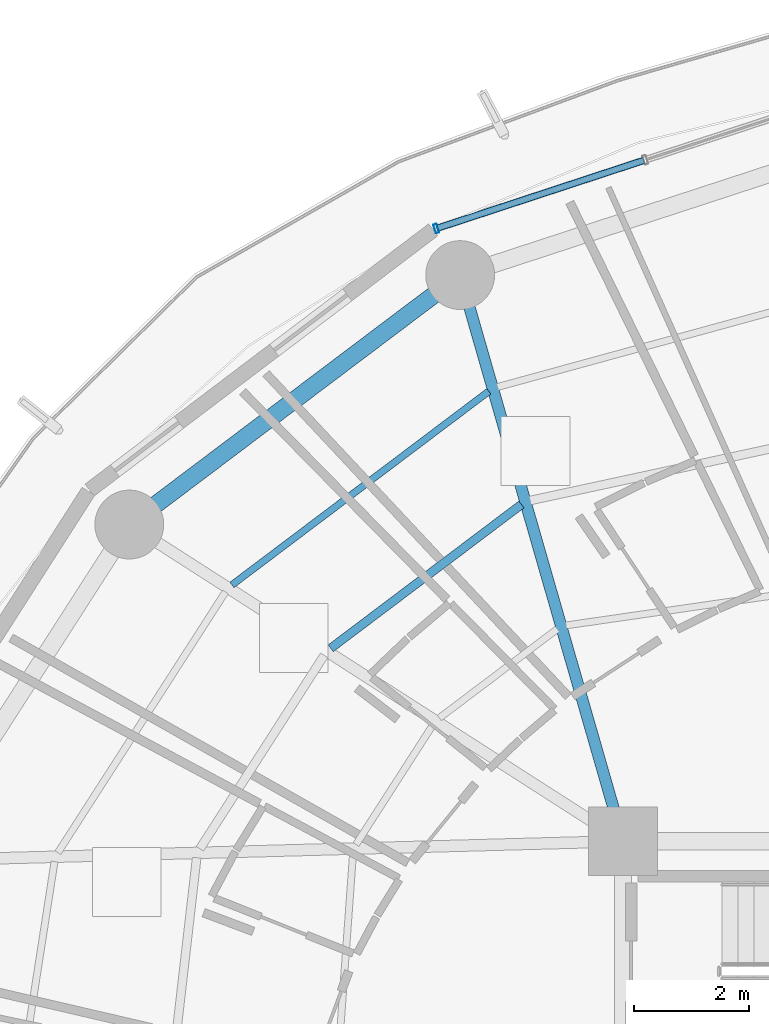
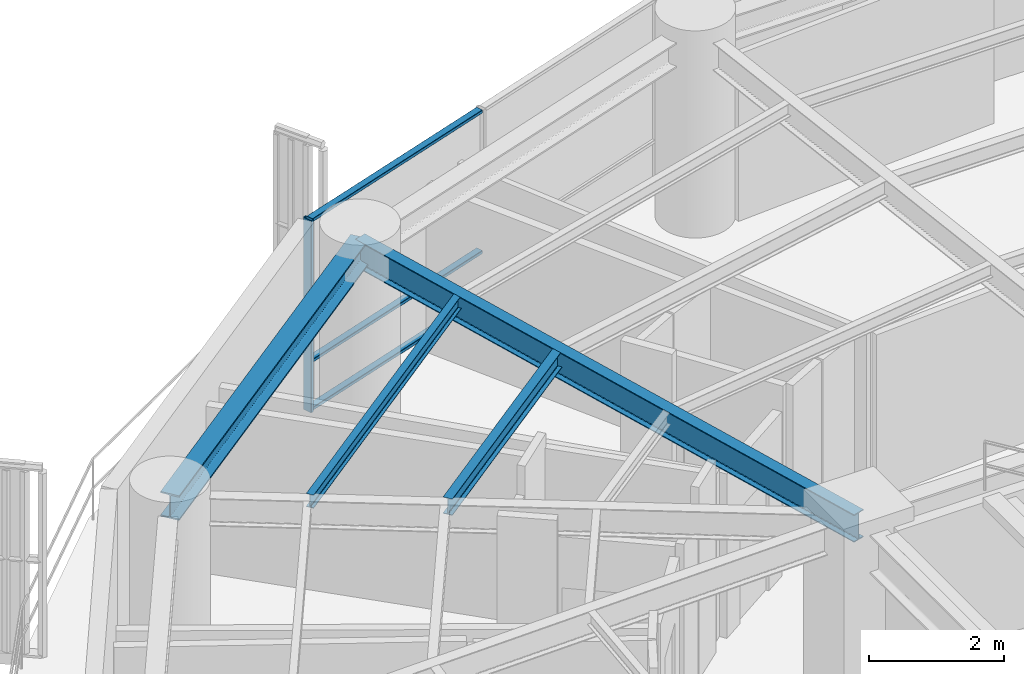
# One storey, part 16 of 29: 4 beams, 4 members, 1 element without a shape of its own.
"""IFC4 building model written with IfcOpenShell, lengths in metres."""

from ifc_helpers import new_model, si_unit, direction, frame, origin, origin_2d, place, context, subcontext, project, spatial, hollow_rectangle, i_section, extrude, material, layer, layer_set, material_profile, profile_set, type_object, element, aggregate, save


model = new_model("IFC4")

# Units and contexts
model_context = context("Model", 3, precision=1e-05, world=origin(), true_north=direction((0.0, 1.0)))
body_context = subcontext(model_context, "Body", "Model", "MODEL_VIEW")
ifc_project = project(units=[si_unit("LENGTHUNIT", "METRE"), si_unit("AREAUNIT", "SQUARE_METRE"), si_unit("VOLUMEUNIT", "CUBIC_METRE"), si_unit("PLANEANGLEUNIT", "RADIAN"), si_unit("MASSUNIT", "GRAM", prefix="KILO")], contexts=[model_context])

# Site, building, storey
site_placement = place(None, origin())
site = spatial("IfcSite", under=ifc_project, at=site_placement, CompositionType="ELEMENT")
building_placement = place(site_placement, origin())
building = spatial("IfcBuilding", under=site, at=building_placement, Name="Kelanora Arch Commons", CompositionType="ELEMENT")
storey_placement = place(building_placement, frame((0.0, 0.0, 135.60009765625)))
storey = spatial("IfcBuildingStorey", under=building, at=storey_placement, Name="L34", CompositionType="ELEMENT", Elevation=135.60009765625)

# Beams
ifc_material_1 = material(Name="Steel S355", Category="steel")
ifc_material_profile_1 = material_profile(ifc_material_1, i_section(OverallWidth=0.14990234375, OverallDepth=0.300048828125, WebThickness=0.007080078125, FlangeThickness=0.0107421875, FilletRadius=0.014892578125, at=origin_2d()), Name="IPE300")
ifc_profile_set_1 = profile_set([ifc_material_profile_1], Name="Steel S355")
beam_type_1 = type_object("IfcBeamType", Name="BM-JST-01", PredefinedType="JOIST", material=ifc_profile_set_1)
beam_1_placement = place(storey_placement, frame((64.22802734375, 70.870849609375, 3.33984375), z_axis=(-0.798463547891, -0.602043156833, 0.0), x_axis=(0.602043156833, -0.798463547891, 0.0)))
element("IfcBeam", 1, at=beam_1_placement, inside=storey, type_object=beam_type_1, Name="Secondary Chord Joist BJB-12 L34", PredefinedType="JOIST", context=body_context, shape_type="SweptSolid", body=[
    extrude(i_section(OverallWidth=0.14990234375, OverallDepth=0.300048828125, WebThickness=0.007080078125, FlangeThickness=0.0107421875, FilletRadius=0.014892578125, at=origin_2d()), origin(), (0.0, 0.0, 1.0), 4.163818359375),
])
ifc_material_profile_2 = material_profile(ifc_material_1, i_section(OverallWidth=0.1201171875, OverallDepth=0.239990234375, WebThickness=0.006103515625, FlangeThickness=0.009765625, FilletRadius=0.014892578125, at=origin_2d()), Name="IPE240")
ifc_profile_set_2 = profile_set([ifc_material_profile_2], Name="Steel S355")
beam_type_2 = type_object("IfcBeamType", Name="BM-JST-02", PredefinedType="JOIST", material=ifc_profile_set_2)
beam_2_placement = place(storey_placement, frame((63.66015625, 72.844970703125, 3.369873046875), z_axis=(-0.798493128577, -0.602003923256, 0.0), x_axis=(0.602003923256, -0.798493128577, 0.0)))
element("IfcBeam", 2, at=beam_2_placement, inside=storey, type_object=beam_type_2, Name="Secondary Chord Joist BJC-12 L34", PredefinedType="JOIST", context=body_context, shape_type="SweptSolid", body=[
    extrude(i_section(OverallWidth=0.1201171875, OverallDepth=0.239990234375, WebThickness=0.006103515625, FlangeThickness=0.009765625, FilletRadius=0.014892578125, at=origin_2d()), origin(), (0.0, 0.0, 1.0), 5.608642578125),
])
ifc_material_profile_3 = material_profile(ifc_material_1, i_section(OverallWidth=0.199951171875, OverallDepth=0.5, WebThickness=0.01025390625, FlangeThickness=0.01611328125, FilletRadius=0.02099609375, at=origin_2d()), Name="IPE500")
ifc_profile_set_3 = profile_set([ifc_material_profile_3], Name="Steel S355")
beam_type_3 = type_object("IfcBeamType", Name="BM-RAD-Z3", PredefinedType="BEAM", material=ifc_profile_set_3)
beam_3_placement = place(storey_placement, frame((66.0, 65.0, 3.239990234375), z_axis=(-0.276525880065, 0.961006471182, 0.0), x_axis=(-0.961006471182, -0.276525880065, 0.0)))
element("IfcBeam", 3, at=beam_3_placement, inside=storey, type_object=beam_type_3, Name="Radial Floor Girder BR-12 L34", PredefinedType="BEAM", context=body_context, shape_type="SweptSolid", body=[
    extrude(i_section(OverallWidth=0.199951171875, OverallDepth=0.5, WebThickness=0.01025390625, FlangeThickness=0.01611328125, FilletRadius=0.02099609375, at=origin_2d()), origin(), (0.0, 0.0, 1.0), 10.2705078125),
])
ifc_material_profile_4 = material_profile(ifc_material_1, i_section(OverallWidth=0.300048828125, OverallDepth=0.449951171875, WebThickness=0.013916015625, FlangeThickness=0.02587890625, FilletRadius=0.027099609375, at=origin_2d()), Name="HEB450")
ifc_profile_set_4 = profile_set([ifc_material_profile_4], Name="Steel S355")
beam_type_4 = type_object("IfcBeamType", Name="BM-SPN-Z3", PredefinedType="SPANDREL", material=ifc_profile_set_4)
beam_4_placement = place(storey_placement, frame((63.159912109375, 74.8701171875, 3.264892578125), z_axis=(-0.798484645564, -0.60201517489, 0.0), x_axis=(0.60201517489, -0.798484645564, 0.0)))
element("IfcBeam", 4, at=beam_4_placement, inside=storey, type_object=beam_type_4, Name="Perimeter Spandrel Beam BS-12 L34", PredefinedType="SPANDREL", context=body_context, shape_type="SweptSolid", body=[
    extrude(i_section(OverallWidth=0.300048828125, OverallDepth=0.449951171875, WebThickness=0.013916015625, FlangeThickness=0.02587890625, FilletRadius=0.027099609375, at=origin_2d()), origin(), (0.0, 0.0, 1.0), 7.223388671875),
])

# Curtain wall, members
ifc_material_2 = material(Name="Terracotta ceramic-fritted low-E glass and aluminium", Category="masonry")
ifc_layer = layer(ifc_material_2, 0.175048828125)
ifc_layer_set = layer_set([ifc_layer], Name="Terracotta ceramic-fritted low-E glass and aluminium")
curtain_wall_type = type_object("IfcCurtainWallType", Name="CW-SYS-02", PredefinedType="NOTDEFINED", material=ifc_layer_set)
curtain_wall_placement = place(storey_placement, origin())
curtain_wall = element("IfcCurtainWall", 5, at=curtain_wall_placement, inside=storey, type_object=curtain_wall_type, Name="Unitised Curtain Wall L34-B05", PredefinedType="NOTDEFINED")
ifc_material_3 = material(Name="Powder-coated aluminium terracotta", Category="masonry")
ifc_material_profile_5 = material_profile(ifc_material_3, hollow_rectangle(XDim=0.159912109375, YDim=0.06005859375, WallThickness=0.0048828125, InnerFilletRadius=0.0048828125, OuterFilletRadius=0.010009765625, at=origin_2d()), Name="CWM160x60")
ifc_profile_set_5 = profile_set([ifc_material_profile_5], Name="Powder-coated aluminium terracotta")
member_type_1 = type_object("IfcMemberType", Name="CWM-STD", PredefinedType="MULLION", material=ifc_profile_set_5)
member_1_placement = place(storey_placement, frame((62.742919921875, 75.680908203125, 0.0), z_axis=(0.0, 0.0, 1.0), x_axis=(0.312128279571, -0.95003996605, 0.0)))
member_1 = element("IfcMember", 6, at=member_1_placement, type_object=member_type_1, Name="CW-02 mullion 3", PredefinedType="MULLION", context=body_context, shape_type="SweptSolid", body=[
    extrude(hollow_rectangle(XDim=0.159912109375, YDim=0.06005859375, WallThickness=0.0048828125, InnerFilletRadius=0.0048828125, OuterFilletRadius=0.010009765625, at=origin_2d()), origin(), (0.0, 0.0, 1.0), 3.474853515625),
])
ifc_material_profile_6 = material_profile(ifc_material_3, hollow_rectangle(XDim=0.1201171875, YDim=0.06005859375, WallThickness=0.0048828125, InnerFilletRadius=0.0048828125, OuterFilletRadius=0.010009765625, at=origin_2d()), Name="CWT120x60")
ifc_profile_set_6 = profile_set([ifc_material_profile_6], Name="Powder-coated aluminium terracotta")
member_type_2 = type_object("IfcMemberType", Name="CWT-STD", PredefinedType="USERDEFINED", material=ifc_profile_set_6)
member_2_placement = place(storey_placement, frame((66.359375, 76.869140625, 0.02978515625), z_axis=(-0.950051191155, -0.312094111104, 0.0), x_axis=(0.312094111104, -0.950051191155, 0.0)))
member_2 = element("IfcMember", 7, at=member_2_placement, type_object=member_type_2, Name="CW-02 transom 2.1", ObjectType="TRANSOM", PredefinedType="USERDEFINED", context=body_context, shape_type="SweptSolid", body=[
    extrude(hollow_rectangle(XDim=0.1201171875, YDim=0.06005859375, WallThickness=0.0048828125, InnerFilletRadius=0.0048828125, OuterFilletRadius=0.010009765625, at=origin_2d()), origin(), (0.0, 0.0, 1.0), 3.77685546875),
])
member_3_placement = place(storey_placement, frame((66.359375, 76.869140625, 0.89990234375), z_axis=(-0.950051191155, -0.312094111104, 0.0), x_axis=(0.312094111104, -0.950051191155, 0.0)))
member_3 = element("IfcMember", 8, at=member_3_placement, type_object=member_type_2, Name="CW-02 transom 2.2", ObjectType="TRANSOM", PredefinedType="USERDEFINED", context=body_context, shape_type="SweptSolid", body=[
    extrude(hollow_rectangle(XDim=0.1201171875, YDim=0.06005859375, WallThickness=0.0048828125, InnerFilletRadius=0.0048828125, OuterFilletRadius=0.010009765625, at=origin_2d()), origin(), (0.0, 0.0, 1.0), 3.77685546875),
])
member_4_placement = place(storey_placement, frame((66.359375, 76.869140625, 3.44482421875), z_axis=(-0.950051191155, -0.312094111104, 0.0), x_axis=(0.312094111104, -0.950051191155, 0.0)))
member_4 = element("IfcMember", 9, at=member_4_placement, type_object=member_type_2, Name="CW-02 transom 2.3", ObjectType="TRANSOM", PredefinedType="USERDEFINED", context=body_context, shape_type="SweptSolid", body=[
    extrude(hollow_rectangle(XDim=0.1201171875, YDim=0.06005859375, WallThickness=0.0048828125, InnerFilletRadius=0.0048828125, OuterFilletRadius=0.010009765625, at=origin_2d()), origin(), (0.0, 0.0, 1.0), 3.77685546875),
])
aggregate(curtain_wall, [member_1, member_2, member_3, member_4])

save(model, "model.ifc")
